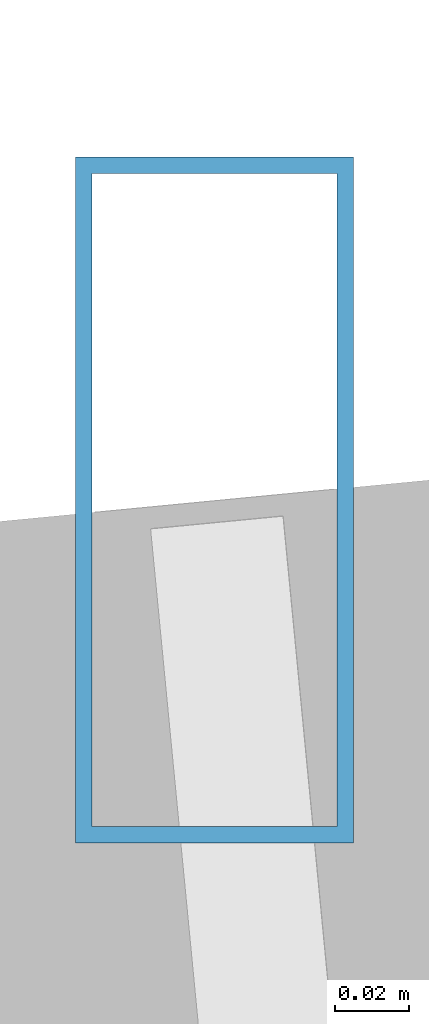
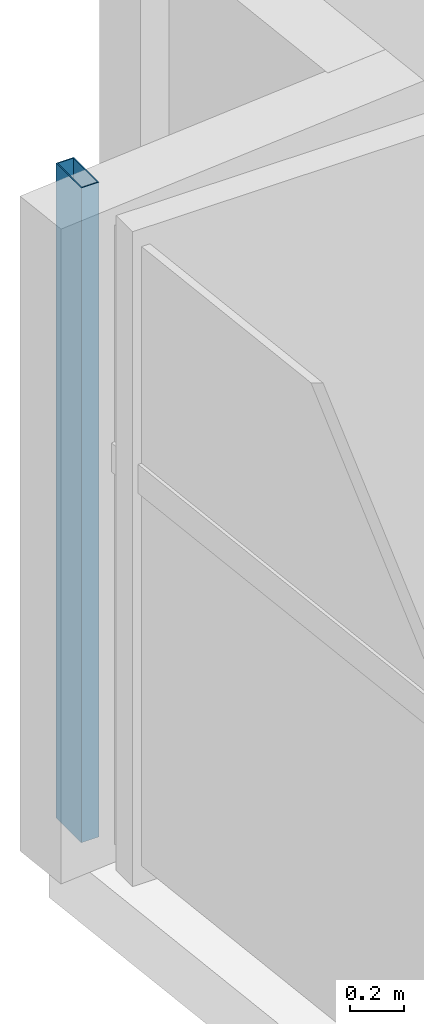
# One storey, part 8 of 27: 1 member, 1 element without a shape of its own.
"""IFC4 building model written with IfcOpenShell, lengths in metres."""

from ifc_helpers import new_model, si_unit, direction, frame, origin, origin_2d, place, context, subcontext, project, spatial, hollow_rectangle, extrude, source, transform, mapped, material, material_profile, profile_set, type_object, type_shapes, element, aggregate, save


model = new_model("IFC4")

# Units and contexts
model_context = context("Model", 3, precision=1e-05, world=origin(), true_north=direction((0.0, 1.0)))
body_context = subcontext(model_context, "Body", "Model", "MODEL_VIEW")
ifc_project = project(units=[si_unit("LENGTHUNIT", "METRE"), si_unit("AREAUNIT", "SQUARE_METRE"), si_unit("VOLUMEUNIT", "CUBIC_METRE"), si_unit("PLANEANGLEUNIT", "RADIAN"), si_unit("MASSUNIT", "GRAM", prefix="KILO")], contexts=[model_context])

# Site, building, storey
site_placement = place(None, origin())
site = spatial("IfcSite", under=ifc_project, at=site_placement, CompositionType="ELEMENT")
building_placement = place(site_placement, origin())
building = spatial("IfcBuilding", under=site, at=building_placement, Name="Astriad Promenade Condominiums", CompositionType="ELEMENT")
storey_placement = place(building_placement, frame((0.0, 0.0, 93.800048828125)))
storey = spatial("IfcBuildingStorey", under=building, at=storey_placement, Name="L26", CompositionType="ELEMENT", Elevation=93.800048828125)

# Curtain wall, member
ifc_material_1 = material(Name="Anodised aluminium Black Dark Glass Unitised", Category="aluminium")
curtain_wall_type = type_object("IfcCurtainWallType", Name="CW-B2-DARK", PredefinedType="USERDEFINED", material=ifc_material_1)
curtain_wall_placement = place(storey_placement, origin())
curtain_wall = element("IfcCurtainWall", 1, at=curtain_wall_placement, inside=storey, type_object=curtain_wall_type, Name="CW-L26-W", ObjectType="UNITISED_CURTAIN_WALL", PredefinedType="USERDEFINED")
ifc_material_2 = material(Name="Anodised aluminium 6063-T6 Black", Category="aluminium")
ifc_material_profile = material_profile(ifc_material_2, hollow_rectangle(XDim=0.074951171875, YDim=0.18505859375, WallThickness=0.00439453125, at=origin_2d()), Name="ALU-MUL-75X185")
ifc_profile_set = profile_set([ifc_material_profile], Name="Anodised aluminium 6063-T6 Black")
member_type = type_object("IfcMemberType", Name="MUL-ALU-MUL-75X185", PredefinedType="MULLION", material=ifc_profile_set)
shared_shape = source(origin(), body_context, "Body", "SweptSolid", [
    extrude(hollow_rectangle(XDim=0.074951171875, YDim=0.18505859375, WallThickness=0.00439453125, at=origin_2d()), origin(), (0.0, 0.0, 1.0), 2.93994140625),
])
type_shapes(member_type, [shared_shape])
member_placement = place(storey_placement, frame((8.94775390625, 20.921875, 0.0), z_axis=(0.0, 0.0, 1.0), x_axis=(1.0, 0.0, 0.0)))
member = element("IfcMember", 2, at=member_placement, type_object=member_type, Name="CW-L26-W-MUL-03", PredefinedType="MULLION", context=body_context, shape_type="MappedRepresentation", body=[
    mapped(shared_shape, transform((0.0, 0.0, 0.0), scale=1.0)),
])
aggregate(curtain_wall, [member])

save(model, "model.ifc")
